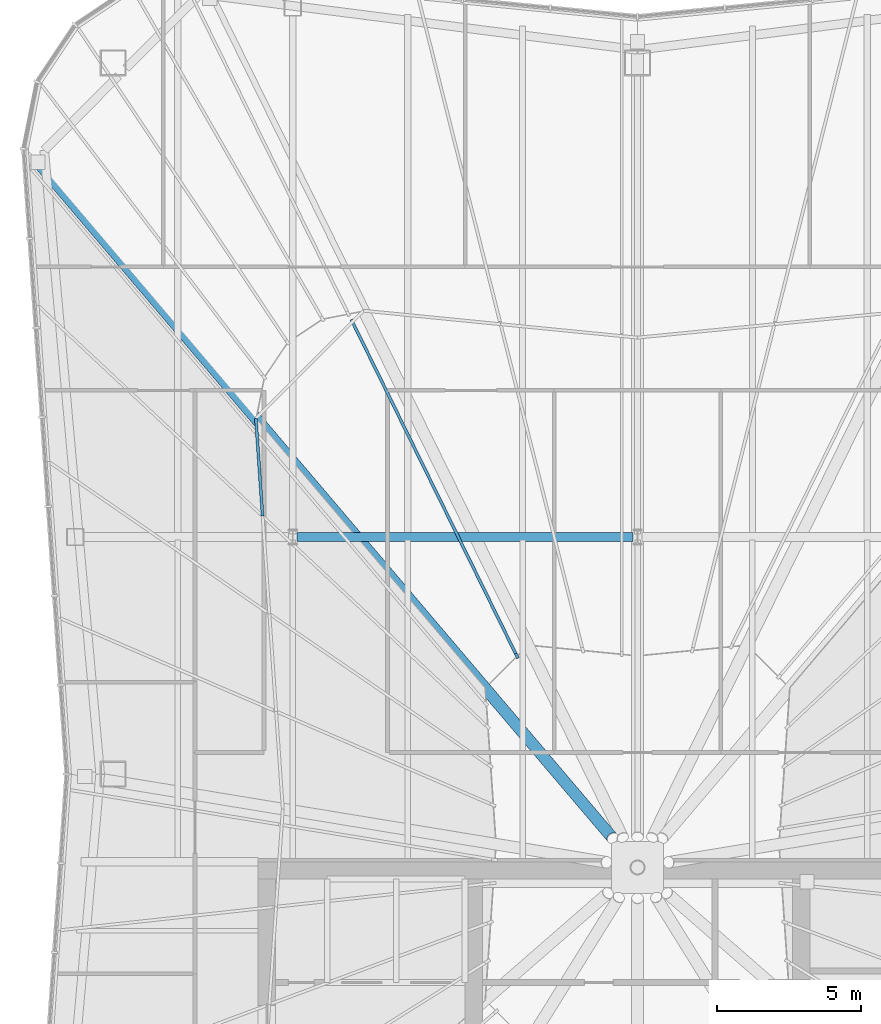
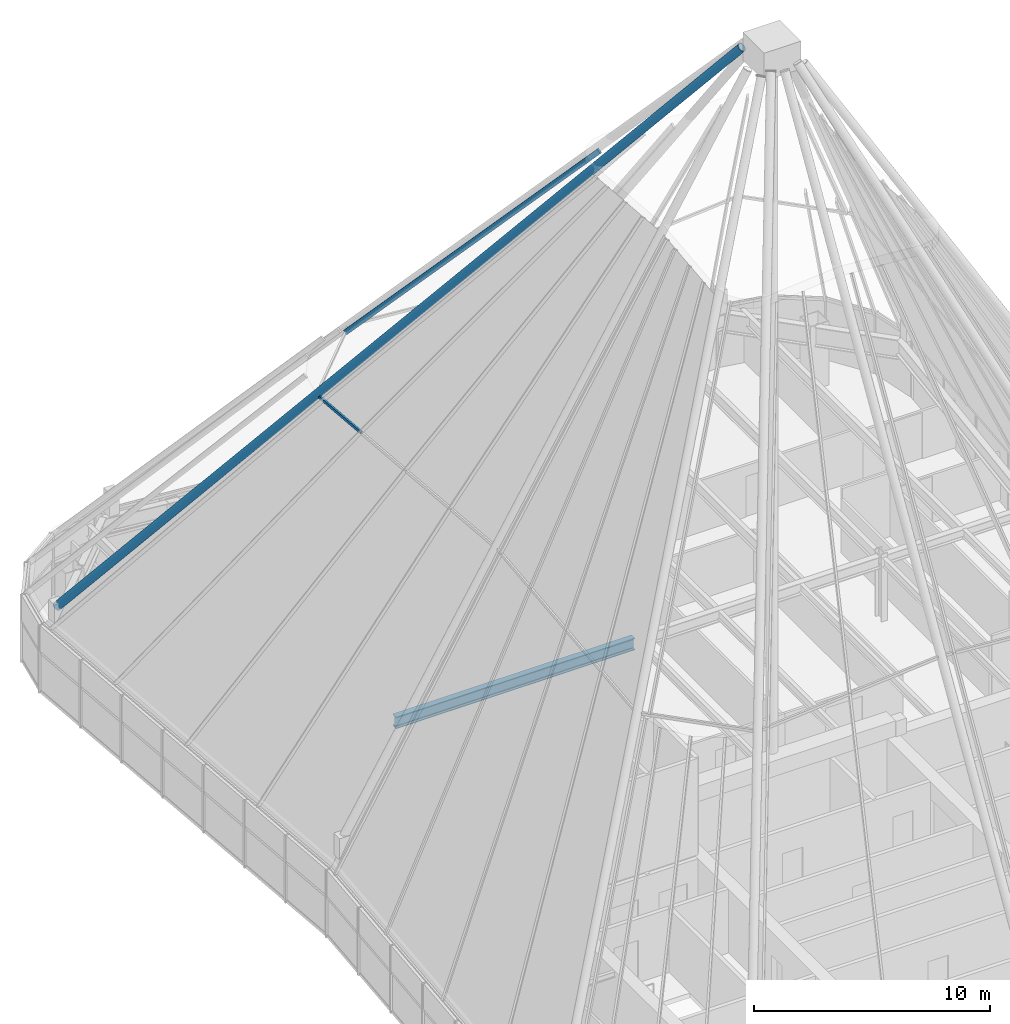
# One storey, part 13 of 28: 3 members, 1 beam, 2 elements without a shape of their own.
"""IFC4 building model written with IfcOpenShell, lengths in metres."""

import ifcopenshell
import ifcopenshell.guid

model = None  # the IFC model being written
_history = None  # IfcOwnerHistory: only IFC2X3 demands one
_inside = {}  # id of a spatial element -> (the spatial element, [elements in it])
_under = {}  # id of a project, library or spatial element -> (it, [spatial elements below it])
_declared = {}  # id of a project -> (the project, [libraries it declares])
_typed = {}  # id of a type object -> (the type object, [elements of that type])
_made_of = {}  # id of a material, layer set ... -> (it, [elements and type objects made of it])


def new_model(schema):
    """Start an empty IFC model of exactly this schema.

    Asked for "IFC4X3", IfcOpenShell would pick the latest addendum, in which some entities
    have other attributes; the version numbers below select the first issue.
    IFC2X3 requires an IfcOwnerHistory on every rooted entity: one is made here for all.
    """
    global model, _history
    if schema == "IFC4X3":
        model = ifcopenshell.file(schema_version=(4, 3, 0, 0))
    else:
        model = ifcopenshell.file(schema=schema)
    _inside.clear()
    _under.clear()
    _declared.clear()
    _typed.clear()
    _made_of.clear()
    _history = None
    if model.schema == "IFC2X3":
        org = make("IfcOrganization", Name="unknown")
        user = make(
            "IfcPersonAndOrganization",
            ThePerson=make("IfcPerson", FamilyName="unknown"),
            TheOrganization=org,
        )
        app = make(
            "IfcApplication",
            ApplicationDeveloper=org,
            Version="unknown",
            ApplicationFullName="unknown",
            ApplicationIdentifier="unknown",
        )
        _history = make(
            "IfcOwnerHistory",
            OwningUser=user,
            OwningApplication=app,
            ChangeAction="ADDED",
            CreationDate=0,
        )
    return model


def make(cls, **values):
    """One entity of the class cls with the attributes given. An attribute that is None is left unset."""
    return model.create_entity(
        cls, **{name: value for name, value in values.items() if value is not None}
    )


def rooted(cls, **values):
    """An entity with a GlobalId (a new one), such as an element, a storey or a relation."""
    return make(cls, GlobalId=ifcopenshell.guid.new(), OwnerHistory=_history, **values)


def si_unit(unit_type, name, prefix=None):
    """IfcSIUnit, for example si_unit("LENGTHUNIT", "METRE", prefix="MILLI")."""
    return make("IfcSIUnit", UnitType=unit_type, Prefix=prefix, Name=name)


def assignment(units):
    """IfcUnitAssignment: the units of a project."""
    return None if units is None else make("IfcUnitAssignment", Units=units)


def point(xyz):
    """IfcCartesianPoint."""
    return None if xyz is None else make("IfcCartesianPoint", Coordinates=xyz)


def direction(xyz):
    """IfcDirection."""
    return None if xyz is None else make("IfcDirection", DirectionRatios=xyz)


def frame(location, z_axis=None, x_axis=None):
    """IfcAxis2Placement3D, a coordinate frame: its origin and axes. An axis left out is left unset."""
    return make(
        "IfcAxis2Placement3D",
        Location=point(location),
        Axis=direction(z_axis),
        RefDirection=direction(x_axis),
    )


def frame_2d(location, x_axis=None):
    """IfcAxis2Placement2D, a coordinate frame in the plane: its origin and x axis."""
    return make(
        "IfcAxis2Placement2D", Location=point(location), RefDirection=direction(x_axis)
    )


def origin():
    """The frame at (0, 0, 0) with its axes left unset."""
    return frame((0.0, 0.0, 0.0))


def origin_2d():
    """The frame at (0, 0) in the plane with its x axis left unset."""
    return frame_2d((0.0, 0.0))


def place(relative_to, where):
    """IfcLocalPlacement: puts the frame where relative to a parent placement (None: the world)."""
    return make(
        "IfcLocalPlacement", PlacementRelTo=relative_to, RelativePlacement=where
    )


def context(
    kind, dimensions, precision=None, world=None, true_north=None, identifier=None
):
    """IfcGeometricRepresentationContext, for example the 3D "Model" context."""
    return make(
        "IfcGeometricRepresentationContext",
        ContextIdentifier=identifier,
        ContextType=kind,
        CoordinateSpaceDimension=dimensions,
        Precision=precision,
        WorldCoordinateSystem=world,
        TrueNorth=true_north,
    )


def subcontext(parent, identifier, kind, view, scale=None):
    """IfcGeometricRepresentationSubContext, for example "Body" below "Model"."""
    return make(
        "IfcGeometricRepresentationSubContext",
        ContextIdentifier=identifier,
        ContextType=kind,
        ParentContext=parent,
        TargetScale=scale,
        TargetView=view,
    )


def project(units=None, contexts=None):
    """IfcProject with its units and contexts."""
    return rooted(
        "IfcProject",
        Name="project",
        RepresentationContexts=contexts,
        UnitsInContext=assignment(units),
    )


def spatial(cls, under=None, at=None, **own):
    """A site, building, storey or space (cls), placed at a placement, below another one or the project."""
    s = rooted(cls, ObjectPlacement=at, **own)
    if under is not None:
        _under.setdefault(under.id(), (under, []))[1].append(s)
    return s


def profile(cls, at=None, kind="AREA", **sizes):
    """A parametric profile (cls). Its sizes go by their IFC names, for example OverallWidth=200.0."""
    return make(cls, ProfileType=kind, Position=at, **sizes)


def rectangle(**sizes):
    """IfcRectangleProfileDef."""
    return profile("IfcRectangleProfileDef", **sizes)


def hollow_circle(**sizes):
    """IfcCircleHollowProfileDef."""
    return profile("IfcCircleHollowProfileDef", **sizes)


def i_section(**sizes):
    """IfcIShapeProfileDef."""
    return profile("IfcIShapeProfileDef", **sizes)


def extrude(swept, where, along, depth):
    """IfcExtrudedAreaSolid: the profile swept, set in the frame where, extruded along a direction by depth."""
    return make(
        "IfcExtrudedAreaSolid",
        SweptArea=swept,
        Position=where,
        ExtrudedDirection=direction(along),
        Depth=depth,
    )


def shape(context_of_items, identifier, shape_type, items):
    """IfcShapeRepresentation: the items that make up one representation, for example the "Body"."""
    return make(
        "IfcShapeRepresentation",
        ContextOfItems=context_of_items,
        RepresentationIdentifier=identifier,
        RepresentationType=shape_type,
        Items=items,
    )


def material(Name=None, Category=None):
    """IfcMaterial."""
    return make("IfcMaterial", Name=Name, Category=Category)


def material_profile(
    of_material, cross_section, Name=None, Category=None, Priority=None
):
    """IfcMaterialProfile: a cross section and its material."""
    return make(
        "IfcMaterialProfile",
        Name=Name,
        Material=of_material,
        Profile=cross_section,
        Priority=Priority,
        Category=Category,
    )


def profile_set(profiles, Name=None, composite=None):
    """IfcMaterialProfileSet."""
    return make(
        "IfcMaterialProfileSet",
        Name=Name,
        MaterialProfiles=profiles,
        CompositeProfile=composite,
    )


def made_of(thing, what):
    """Note that an element or type object is made of a material, layer set ...; save() writes the relation."""
    if what is not None:
        _made_of.setdefault(what.id(), (what, []))[1].append(thing)
    return thing


def type_object(cls, material=None, **own):
    """A type object (cls), such as IfcWallType, which elements share."""
    return made_of(rooted(cls, **own), material)


def element(
    cls,
    number,
    at=None,
    inside=None,
    cuts=None,
    type_object=None,
    material=None,
    context=None,
    identifier="Body",
    shape_type=None,
    held_by="IfcProductDefinitionShape",
    body=None,
    shapes=None,
    **own,
):
    """One element of the class cls, such as IfcWall. Its Tag is "e" and its number.

    at: its placement. inside: the storey or other place that contains it. cuts: it is an
    opening in that element (IfcRelVoidsElement). A single representation is given by context,
    identifier, shape_type and body (its items); several are given by shapes. held_by: the class
    of the entity that holds the representations. save() writes the other relations.
    """
    e = rooted(cls, Tag="e%d" % number, ObjectPlacement=at, **own)
    if body is not None:
        shapes = [shape(context, identifier, shape_type, body)]
    if shapes is not None:
        e.Representation = make(held_by, Representations=shapes)
    if inside is not None:
        _inside.setdefault(inside.id(), (inside, []))[1].append(e)
    if cuts is not None:
        rooted(
            "IfcRelVoidsElement", RelatingBuildingElement=cuts, RelatedOpeningElement=e
        )
    if type_object is not None:
        _typed.setdefault(type_object.id(), (type_object, []))[1].append(e)
    return made_of(e, material)


def aggregate(whole, parts):
    """IfcRelAggregates: a whole, such as a stair, and the parts it consists of."""
    return rooted("IfcRelAggregates", RelatingObject=whole, RelatedObjects=parts)


def save(model, path):
    """Write the relations noted so far, then the file.

    IfcRelAggregates (storeys below a building ...), IfcRelContainedInSpatialStructure (elements
    in a storey), IfcRelDefinesByType, IfcRelAssociatesMaterial and IfcRelDeclares: one each for
    every whole, place, type object, material and project.
    """
    for whole, parts in _under.values():
        aggregate(whole, parts)
    for where, things in _inside.values():
        rooted(
            "IfcRelContainedInSpatialStructure",
            RelatedElements=things,
            RelatingStructure=where,
        )
    for kind, things in _typed.values():
        rooted("IfcRelDefinesByType", RelatedObjects=things, RelatingType=kind)
    for what, things in _made_of.values():
        rooted("IfcRelAssociatesMaterial", RelatedObjects=things, RelatingMaterial=what)
    for by, libraries in _declared.values():
        rooted("IfcRelDeclares", RelatingContext=by, RelatedDefinitions=libraries)
    model.write(path)


model = new_model("IFC4")

# Units and contexts
model_context = context("Model", 3, precision=1e-05, world=origin(), true_north=direction((0.0, 1.0)))
body_context = subcontext(model_context, "Body", "Model", "MODEL_VIEW")
ifc_project = project(units=[si_unit("LENGTHUNIT", "METRE"), si_unit("AREAUNIT", "SQUARE_METRE"), si_unit("VOLUMEUNIT", "CUBIC_METRE"), si_unit("PLANEANGLEUNIT", "RADIAN"), si_unit("MASSUNIT", "GRAM", prefix="KILO")], contexts=[model_context])

# Site, building, storey
site_placement = place(None, origin())
site = spatial("IfcSite", under=ifc_project, at=site_placement, CompositionType="ELEMENT")
building_placement = place(site_placement, origin())
building = spatial("IfcBuilding", under=site, at=building_placement, Name="Verdant Reach Tower", CompositionType="ELEMENT")
storey_placement = place(building_placement, frame((0.0, 0.0, 368.0)))
storey = spatial("IfcBuildingStorey", under=building, at=storey_placement, Name="L83 Crown plant", CompositionType="ELEMENT", Elevation=368.0)

# Curtain wall, member
ifc_material_1 = material(Name="Anodised aluminium", Category="aluminium")
curtain_wall_type = type_object("IfcCurtainWallType", Name="EN-CW SYSTEM CROWN APEX", PredefinedType="NOTDEFINED", material=ifc_material_1)
curtain_wall_1_placement = place(storey_placement, origin())
curtain_wall_1 = element("IfcCurtainWall", 1, at=curtain_wall_1_placement, inside=storey, type_object=curtain_wall_type, Name="Crown glazing unit north-west corner 1, level 02", PredefinedType="NOTDEFINED")
ifc_material_profile_1 = material_profile(ifc_material_1, rectangle(XDim=0.10009765625, YDim=0.239990234375, at=origin_2d()), Name="Mullion 100x240")
ifc_profile_set_1 = profile_set([ifc_material_profile_1], Name="Anodised aluminium")
member_type_1 = type_object("IfcMemberType", Name="EN-RIB MULLION CROWN", PredefinedType="MULLION", material=ifc_profile_set_1)
member_1_placement = place(storey_placement, frame((-9.920166015625, 56.986083984375, 17.9375), z_axis=(0.294809860033, -0.599285617116, 0.744274072869), x_axis=(0.897302982151, 0.441415176703, 0.0)))
member_1 = element("IfcMember", 2, at=member_1_placement, type_object=member_type_1, Name="Crown mullion north-west corner 1, level 02", PredefinedType="MULLION", context=body_context, shape_type="SweptSolid", body=[
    extrude(rectangle(XDim=0.10009765625, YDim=0.239990234375, at=origin_2d()), origin(), (0.0, 0.0, 1.0), 19.398193359375),
])
aggregate(curtain_wall_1, [member_1])

curtain_wall_2_placement = place(storey_placement, origin())
curtain_wall_2 = element("IfcCurtainWall", 3, at=curtain_wall_2_placement, inside=storey, type_object=curtain_wall_type, Name="Crown glazing unit west face part 1 1, level 02", PredefinedType="NOTDEFINED")
ifc_material_profile_2 = material_profile(ifc_material_1, rectangle(XDim=0.10009765625, YDim=0.139892578125, at=origin_2d()), Name="Transom 140x100")
ifc_profile_set_2 = profile_set([ifc_material_profile_2], Name="Anodised aluminium")
member_type_2 = type_object("IfcMemberType", Name="EN-TRANSOM CROWN", PredefinedType="USERDEFINED", material=ifc_profile_set_2)
member_2_placement = place(storey_placement, frame((-13.28125, 53.625, 17.9375), z_axis=(0.068802091615, -0.997630328423, 0.0), x_axis=(0.997630328423, 0.068802091615, 0.0)))
member_2 = element("IfcMember", 4, at=member_2_placement, type_object=member_type_2, Name="Crown transom west face part 1 1, level 02", ObjectType="TRANSOM", PredefinedType="USERDEFINED", context=body_context, shape_type="SweptSolid", body=[
    extrude(rectangle(XDim=0.10009765625, YDim=0.139892578125, at=origin_2d()), origin(), (0.0, 0.0, 1.0), 3.406494140625),
])
aggregate(curtain_wall_2, [member_2])

# Beam
ifc_material_2 = material(Name="Steel S355", Category="steel")
ifc_material_profile_3 = material_profile(ifc_material_2, i_section(OverallWidth=0.300048828125, OverallDepth=0.60009765625, WebThickness=0.015380859375, FlangeThickness=0.030029296875, FilletRadius=0.027099609375, at=origin_2d()), Name="HEB 600")
ifc_profile_set_3 = profile_set([ifc_material_profile_3], Name="Steel S355")
beam_type = type_object("IfcBeamType", Name="ST-BEAM-HEB600", PredefinedType="BEAM", material=ifc_profile_set_3)
beam_placement = place(storey_placement, frame((-11.846923828125, 49.5, 3.0), z_axis=(1.0, 0.0, 0.0), x_axis=(0.0, 1.0, 0.0)))
element("IfcBeam", 5, at=beam_placement, inside=storey, type_object=beam_type, Name="Row girder, L83 Crown plant", PredefinedType="BEAM", context=body_context, shape_type="SweptSolid", body=[
    extrude(i_section(OverallWidth=0.300048828125, OverallDepth=0.60009765625, WebThickness=0.015380859375, FlangeThickness=0.030029296875, FilletRadius=0.027099609375, at=origin_2d()), origin(), (0.0, 0.0, 1.0), 11.69384765625),
])

# Member
ifc_material_3 = material(Name="Steel S460", Category="steel")
ifc_material_profile_4 = material_profile(ifc_material_3, hollow_circle(Radius=0.203125, WallThickness=0.01611328125, at=origin_2d()), Name="CHS 406.4x16")
ifc_profile_set_4 = profile_set([ifc_material_profile_4], Name="Steel S460")
member_type_3 = type_object("IfcMemberType", Name="ST-CROWN-RIB", PredefinedType="BRACE", material=ifc_profile_set_4)
member_3_placement = place(storey_placement, frame((-20.861328125, 62.542724609375, 4.2041015625), z_axis=(0.420088752654, -0.494218741088, 0.761100043261), x_axis=(0.761937170277, 0.647650946537, 0.0)))
element("IfcMember", 6, at=member_3_placement, inside=storey, type_object=member_type_3, Name="Crown rib 8", PredefinedType="BRACE", context=body_context, shape_type="SweptSolid", body=[
    extrude(hollow_circle(Radius=0.203125, WallThickness=0.01611328125, at=origin_2d()), origin(), (0.0, 0.0, 1.0), 47.570068359375),
])

save(model, "model.ifc")
